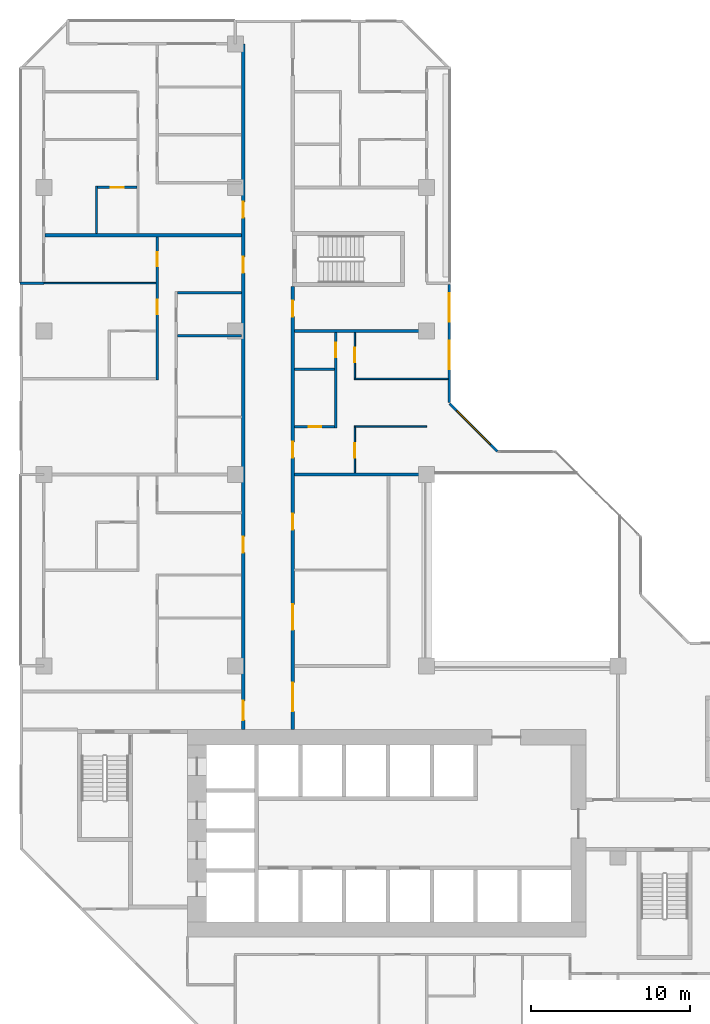
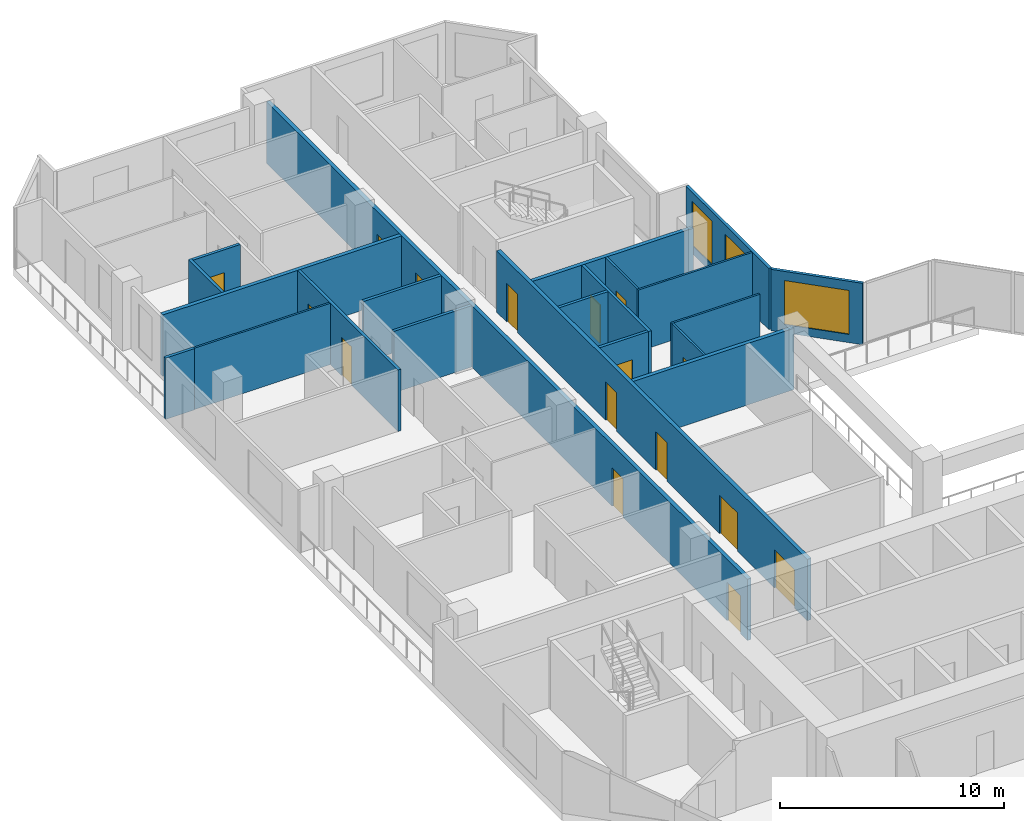
# One storey, part 9 of 15: 21 walls, 16 doors, 3 windows, 19 openings.
"""IFC4 building model written with IfcOpenShell, lengths in metres."""

from ifc_helpers import new_model, si_unit, direction, frame, frame_2d, origin, place, context, subcontext, project, spatial, rectangle, extrude, material, layer, layer_set, type_object, element, fill, save


model = new_model("IFC4")

# Units and contexts
model_context = context("Model", 3, precision=1e-05, world=origin(), true_north=direction((0.0, 1.0)))
body_context = subcontext(model_context, "Body", "Model", "MODEL_VIEW")
ifc_project = project(units=[si_unit("LENGTHUNIT", "METRE"), si_unit("AREAUNIT", "SQUARE_METRE"), si_unit("VOLUMEUNIT", "CUBIC_METRE"), si_unit("PLANEANGLEUNIT", "RADIAN"), si_unit("MASSUNIT", "GRAM", prefix="KILO")], contexts=[model_context])

# Site, building, storey
site_placement = place(None, origin())
site = spatial("IfcSite", under=ifc_project, at=site_placement, CompositionType="ELEMENT")
building_placement = place(site_placement, origin())
building = spatial("IfcBuilding", under=site, at=building_placement, Name="Chenar Terraces", CompositionType="ELEMENT")
storey_placement = place(building_placement, frame((0.0, 0.0, 95.64990234375)))
storey = spatial("IfcBuildingStorey", under=building, at=storey_placement, Name="L21", CompositionType="ELEMENT", Elevation=95.64990234375)

# Wall, openings, doors
ifc_material_1 = material(Name="Gypsum board on steel studs with fire boards", Category="steel")
ifc_layer_1 = layer(ifc_material_1, 0.199951171875)
ifc_layer_set_1 = layer_set([ifc_layer_1], Name="Gypsum board on steel studs with fire boards")
wall_type_1 = type_object("IfcWallType", Name="Corridor wall 200", PredefinedType="PARTITIONING", material=ifc_layer_set_1)
wall_1_placement = place(storey_placement, frame((12.5, 20.0, 0.0), z_axis=(0.0, 0.0, 1.0), x_axis=(0.0, 1.0, 0.0)))
wall_1 = element("IfcWall", 1, at=wall_1_placement, inside=storey, type_object=wall_type_1, Name="Partition L21-037", PredefinedType="PARTITIONING", context=body_context, shape_type="SweptSolid", body=[
    extrude(rectangle(XDim=43.0, YDim=0.199951171875, at=frame_2d((21.5, 0.0))), origin(), (0.0, 0.0, 1.0), 3.35009765625),
])
opening_1_placement = place(wall_1_placement, frame((28.64990234375, 0.0, 0.0)))
opening_1 = element("IfcOpeningElement", 2, at=opening_1_placement, cuts=wall_1, Name="Opening DL21-40", PredefinedType="OPENING", context=body_context, shape_type="SweptSolid", body=[
    extrude(rectangle(XDim=1.0, YDim=2.10009765625, at=frame_2d((0.5, 1.050048828125))), frame((0.0, 0.10986328125, 0.0), z_axis=(0.0, -1.0, 0.0), x_axis=(1.0, 0.0, 0.0)), (0.0, 0.0, 1.0), 0.219970703125),
])
opening_2_placement = place(wall_1_placement, frame((32.10009765625, 0.0, 0.0)))
opening_2 = element("IfcOpeningElement", 3, at=opening_2_placement, cuts=wall_1, Name="Opening DL21-48", PredefinedType="OPENING", context=body_context, shape_type="SweptSolid", body=[
    extrude(rectangle(XDim=1.0, YDim=2.10009765625, at=frame_2d((0.5, 1.050048828125))), frame((0.0, 0.10986328125, 0.0), z_axis=(0.0, -1.0, 0.0), x_axis=(1.0, 0.0, 0.0)), (0.0, 0.0, 1.0), 0.219970703125),
])
opening_3_placement = place(wall_1_placement, frame((0.60009765625, 0.0, 0.0)))
opening_3 = element("IfcOpeningElement", 4, at=opening_3_placement, cuts=wall_1, Name="Opening DL21-51", PredefinedType="OPENING", context=body_context, shape_type="SweptSolid", body=[
    extrude(rectangle(XDim=1.199951171875, YDim=2.10009765625, at=frame_2d((0.60009765625, 1.050048828125))), frame((0.0, 0.10986328125, 0.0), z_axis=(0.0, -1.0, 0.0), x_axis=(1.0, 0.0, 0.0)), (0.0, 0.0, 1.0), 0.219970703125),
])
opening_4_placement = place(wall_1_placement, frame((11.10009765625, 0.0, 0.0)))
opening_4 = element("IfcOpeningElement", 5, at=opening_4_placement, cuts=wall_1, Name="Opening DL21-71", PredefinedType="OPENING", context=body_context, shape_type="SweptSolid", body=[
    extrude(rectangle(XDim=1.0, YDim=2.10009765625, at=frame_2d((0.5, 1.050048828125))), frame((0.0, 0.10986328125, 0.0), z_axis=(0.0, -1.0, 0.0), x_axis=(1.0, 0.0, 0.0)), (0.0, 0.0, 1.0), 0.219970703125),
])
ifc_material_2 = material(Name="Steel-framed fire-resisting door leaf", Category="steel")
door_type_1 = type_object("IfcDoorType", Name="Fire door FD30S 1000 x 2100", OperationType="SINGLE_SWING_LEFT", PredefinedType="DOOR", material=ifc_material_2)
door_1_placement = place(opening_1_placement, origin())
door_1 = element("IfcDoor", 6, at=door_1_placement, inside=storey, type_object=door_type_1, Name="Door DL21-40", OperationType="SINGLE_SWING_LEFT", OverallHeight=2.10009765625, OverallWidth=1.0, PredefinedType="DOOR", context=body_context, shape_type="SweptSolid", body=[
    extrude(rectangle(XDim=1.0, YDim=2.10009765625, at=frame_2d((0.5, 1.050048828125))), frame((0.0, 0.02490234375, 0.0), z_axis=(0.0, -1.0, 0.0), x_axis=(1.0, 0.0, 0.0)), (0.0, 0.0, 1.0), 0.050048828125),
])
fill(opening_1, door_1)
door_2_placement = place(opening_2_placement, origin())
door_2 = element("IfcDoor", 7, at=door_2_placement, inside=storey, type_object=door_type_1, Name="Door DL21-48", OperationType="SINGLE_SWING_RIGHT", OverallHeight=2.10009765625, OverallWidth=1.0, PredefinedType="DOOR", context=body_context, shape_type="SweptSolid", body=[
    extrude(rectangle(XDim=1.0, YDim=2.10009765625, at=frame_2d((0.5, 1.050048828125))), frame((0.0, 0.02490234375, 0.0), z_axis=(0.0, -1.0, 0.0), x_axis=(1.0, 0.0, 0.0)), (0.0, 0.0, 1.0), 0.050048828125),
])
fill(opening_2, door_2)
door_3_placement = place(opening_4_placement, origin())
door_3 = element("IfcDoor", 8, at=door_3_placement, inside=storey, type_object=door_type_1, Name="Door DL21-71", OperationType="SINGLE_SWING_LEFT", OverallHeight=2.10009765625, OverallWidth=1.0, PredefinedType="DOOR", context=body_context, shape_type="SweptSolid", body=[
    extrude(rectangle(XDim=1.0, YDim=2.10009765625, at=frame_2d((0.5, 1.050048828125))), frame((0.0, 0.02490234375, 0.0), z_axis=(0.0, -1.0, 0.0), x_axis=(1.0, 0.0, 0.0)), (0.0, 0.0, 1.0), 0.050048828125),
])
fill(opening_4, door_3)
ifc_material_3 = material(Name="Steel-framed fire-resisting door leaf", Category="steel")
door_type_2 = type_object("IfcDoorType", Name="Fire door FD30S 1200 x 2100", OperationType="SINGLE_SWING_LEFT", PredefinedType="DOOR", material=ifc_material_3)
door_4_placement = place(opening_3_placement, origin())
door_4 = element("IfcDoor", 9, at=door_4_placement, inside=storey, type_object=door_type_2, Name="Door DL21-51", OperationType="SINGLE_SWING_RIGHT", OverallHeight=2.10009765625, OverallWidth=1.199951171875, PredefinedType="DOOR", context=body_context, shape_type="SweptSolid", body=[
    extrude(rectangle(XDim=1.199951171875, YDim=2.10009765625, at=frame_2d((0.60009765625, 1.050048828125))), frame((0.0, 0.02490234375, 0.0), z_axis=(0.0, -1.0, 0.0), x_axis=(1.0, 0.0, 0.0)), (0.0, 0.0, 1.0), 0.050048828125),
])
fill(opening_3, door_4)

wall_2_placement = place(storey_placement, frame((15.60009765625, 20.0, 0.0), z_axis=(0.0, 0.0, 1.0), x_axis=(0.0, 1.0, 0.0)))
wall_2 = element("IfcWall", 10, at=wall_2_placement, inside=storey, type_object=wall_type_1, Name="Partition L21-038", PredefinedType="PARTITIONING", context=body_context, shape_type="SweptSolid", body=[
    extrude(rectangle(XDim=27.77490234375, YDim=0.199951171875, at=frame_2d((13.887451171875, 0.0))), origin(), (0.0, 0.0, 1.0), 3.35009765625),
])
opening_5_placement = place(wall_2_placement, frame((6.25, 0.0, 0.0)))
opening_5 = element("IfcOpeningElement", 11, at=opening_5_placement, cuts=wall_2, Name="Opening DL21-1", PredefinedType="OPENING", context=body_context, shape_type="SweptSolid", body=[
    extrude(rectangle(XDim=1.60009765625, YDim=2.10009765625, at=frame_2d((0.800048828125, 1.050048828125))), frame((0.0, 0.10986328125, 0.0), z_axis=(0.0, -1.0, 0.0), x_axis=(1.0, 0.0, 0.0)), (0.0, 0.0, 1.0), 0.219970703125),
])
opening_6_placement = place(wall_2_placement, frame((12.550048828125, 0.0, 0.0)))
opening_6 = element("IfcOpeningElement", 12, at=opening_6_placement, cuts=wall_2, Name="Opening DL21-2", PredefinedType="OPENING", context=body_context, shape_type="SweptSolid", body=[
    extrude(rectangle(XDim=1.0, YDim=2.10009765625, at=frame_2d((0.5, 1.050048828125))), frame((0.0, 0.10986328125, 0.0), z_axis=(0.0, -1.0, 0.0), x_axis=(1.0, 0.0, 0.0)), (0.0, 0.0, 1.0), 0.219970703125),
])
opening_7_placement = place(wall_2_placement, frame((17.050048828125, 0.0, 0.0)))
opening_7 = element("IfcOpeningElement", 13, at=opening_7_placement, cuts=wall_2, Name="Opening DL21-29", PredefinedType="OPENING", context=body_context, shape_type="SweptSolid", body=[
    extrude(rectangle(XDim=1.0, YDim=2.10009765625, at=frame_2d((0.5, 1.050048828125))), frame((0.0, 0.10986328125, 0.0), z_axis=(0.0, -1.0, 0.0), x_axis=(1.0, 0.0, 0.0)), (0.0, 0.0, 1.0), 0.219970703125),
])
opening_8_placement = place(wall_2_placement, frame((1.14990234375, 0.0, 0.0)))
opening_8 = element("IfcOpeningElement", 14, at=opening_8_placement, cuts=wall_2, Name="Opening DL21-50", PredefinedType="OPENING", context=body_context, shape_type="SweptSolid", body=[
    extrude(rectangle(XDim=1.800048828125, YDim=2.10009765625, at=frame_2d((0.89990234375, 1.050048828125))), frame((0.0, 0.10986328125, 0.0), z_axis=(0.0, -1.0, 0.0), x_axis=(1.0, 0.0, 0.0)), (0.0, 0.0, 1.0), 0.219970703125),
])
opening_9_placement = place(wall_2_placement, frame((25.89990234375, 0.0, 0.0)))
opening_9 = element("IfcOpeningElement", 15, at=opening_9_placement, cuts=wall_2, Name="Opening DL21-53", PredefinedType="OPENING", context=body_context, shape_type="SweptSolid", body=[
    extrude(rectangle(XDim=1.0, YDim=2.10009765625, at=frame_2d((0.5, 1.050048828125))), frame((0.0, 0.10986328125, 0.0), z_axis=(0.0, -1.0, 0.0), x_axis=(1.0, 0.0, 0.0)), (0.0, 0.0, 1.0), 0.219970703125),
])
ifc_material_4 = material(Name="Steel-framed fire-resisting door leaf", Category="steel")
door_type_3 = type_object("IfcDoorType", Name="Fire door FD60 1000 x 2100", OperationType="SINGLE_SWING_LEFT", PredefinedType="DOOR", material=ifc_material_4)
door_5_placement = place(opening_6_placement, frame((1.0, 0.0, 0.0), z_axis=(0.0, 0.0, 1.0), x_axis=(-1.0, 0.0, 0.0)))
door_5 = element("IfcDoor", 16, at=door_5_placement, inside=storey, type_object=door_type_3, Name="Door DL21-2", OperationType="SINGLE_SWING_LEFT", OverallHeight=2.10009765625, OverallWidth=1.0, PredefinedType="DOOR", context=body_context, shape_type="SweptSolid", body=[
    extrude(rectangle(XDim=1.0, YDim=2.10009765625, at=frame_2d((0.5, 1.050048828125))), frame((0.0, 0.02490234375, 0.0), z_axis=(0.0, -1.0, 0.0), x_axis=(1.0, 0.0, 0.0)), (0.0, 0.0, 1.0), 0.050048828125),
])
fill(opening_6, door_5)
door_6_placement = place(opening_7_placement, frame((1.0, 0.0, 0.0), z_axis=(0.0, 0.0, 1.0), x_axis=(-1.0, 0.0, 0.0)))
door_6 = element("IfcDoor", 17, at=door_6_placement, inside=storey, type_object=door_type_3, Name="Door DL21-29", OperationType="SINGLE_SWING_LEFT", OverallHeight=2.10009765625, OverallWidth=1.0, PredefinedType="DOOR", context=body_context, shape_type="SweptSolid", body=[
    extrude(rectangle(XDim=1.0, YDim=2.10009765625, at=frame_2d((0.5, 1.050048828125))), frame((0.0, 0.02490234375, 0.0), z_axis=(0.0, -1.0, 0.0), x_axis=(1.0, 0.0, 0.0)), (0.0, 0.0, 1.0), 0.050048828125),
])
fill(opening_7, door_6)
door_7_placement = place(opening_9_placement, frame((1.0, 0.0, 0.0), z_axis=(0.0, 0.0, 1.0), x_axis=(-1.0, 0.0, 0.0)))
door_7 = element("IfcDoor", 18, at=door_7_placement, inside=storey, type_object=door_type_3, Name="Door DL21-53", OperationType="SINGLE_SWING_RIGHT", OverallHeight=2.10009765625, OverallWidth=1.0, PredefinedType="DOOR", context=body_context, shape_type="SweptSolid", body=[
    extrude(rectangle(XDim=1.0, YDim=2.10009765625, at=frame_2d((0.5, 1.050048828125))), frame((0.0, 0.02490234375, 0.0), z_axis=(0.0, -1.0, 0.0), x_axis=(1.0, 0.0, 0.0)), (0.0, 0.0, 1.0), 0.050048828125),
])
fill(opening_9, door_7)
ifc_material_5 = material(Name="Steel-framed fire-resisting door leaf", Category="steel")
door_type_4 = type_object("IfcDoorType", Name="Fire double door FD60 1600 x 2100", OperationType="DOUBLE_DOOR_SINGLE_SWING", PredefinedType="DOOR", material=ifc_material_5)
door_8_placement = place(opening_5_placement, frame((1.60009765625, 0.0, 0.0), z_axis=(0.0, 0.0, 1.0), x_axis=(-1.0, 0.0, 0.0)))
door_8 = element("IfcDoor", 19, at=door_8_placement, inside=storey, type_object=door_type_4, Name="Door DL21-1", OperationType="DOUBLE_DOOR_SINGLE_SWING", OverallHeight=2.10009765625, OverallWidth=1.60009765625, PredefinedType="DOOR", context=body_context, shape_type="SweptSolid", body=[
    extrude(rectangle(XDim=1.60009765625, YDim=2.10009765625, at=frame_2d((0.800048828125, 1.050048828125))), frame((0.0, 0.02490234375, 0.0), z_axis=(0.0, -1.0, 0.0), x_axis=(1.0, 0.0, 0.0)), (0.0, 0.0, 1.0), 0.050048828125),
])
fill(opening_5, door_8)
ifc_material_6 = material(Name="Steel-framed fire-resisting door leaf", Category="steel")
door_type_5 = type_object("IfcDoorType", Name="Fire double door FD60 1800 x 2100", OperationType="DOUBLE_DOOR_SINGLE_SWING", PredefinedType="DOOR", material=ifc_material_6)
door_9_placement = place(opening_8_placement, frame((1.800048828125, 0.0, 0.0), z_axis=(0.0, 0.0, 1.0), x_axis=(-1.0, 0.0, 0.0)))
door_9 = element("IfcDoor", 20, at=door_9_placement, inside=storey, type_object=door_type_5, Name="Door DL21-50", OperationType="DOUBLE_DOOR_SINGLE_SWING", OverallHeight=2.10009765625, OverallWidth=1.800048828125, PredefinedType="DOOR", context=body_context, shape_type="SweptSolid", body=[
    extrude(rectangle(XDim=1.800048828125, YDim=2.10009765625, at=frame_2d((0.89990234375, 1.050048828125))), frame((0.0, 0.02490234375, 0.0), z_axis=(0.0, -1.0, 0.0), x_axis=(1.0, 0.0, 0.0)), (0.0, 0.0, 1.0), 0.050048828125),
])
fill(opening_8, door_9)

# Wall, openings, windows
ifc_material_7 = material(Name="Aluminium framed glazing", Category="aluminium")
ifc_layer_2 = layer(ifc_material_7, 0.14990234375)
ifc_layer_set_2 = layer_set([ifc_layer_2], Name="Aluminium framed glazing")
wall_type_2 = type_object("IfcWallType", Name="Glazed flush facade wall 150", PredefinedType="SOLIDWALL", material=ifc_layer_set_2)
wall_3_placement = place(storey_placement, frame((25.425048828125, 40.5, 0.0), z_axis=(0.0, 0.0, 1.0), x_axis=(0.0, 1.0, 0.0)))
wall_3 = element("IfcWall", 21, at=wall_3_placement, inside=storey, type_object=wall_type_2, Name="Glazed flush facade wall", PredefinedType="SOLIDWALL", context=body_context, shape_type="SweptSolid", body=[
    extrude(rectangle(XDim=7.425048828125, YDim=0.14990234375, at=frame_2d((3.71240234375, 0.0))), origin(), (0.0, 0.0, 1.0), 3.35009765625),
])
opening_10_placement = place(wall_3_placement, frame((2.10009765625, 0.0, 0.449951171875)))
opening_10 = element("IfcOpeningElement", 22, at=opening_10_placement, cuts=wall_3, Name="Opening W180x240", PredefinedType="OPENING", context=body_context, shape_type="SweptSolid", body=[
    extrude(rectangle(XDim=1.800048828125, YDim=2.39990234375, at=frame_2d((0.89990234375, 1.199951171875))), frame((0.0, 0.0849609375, 0.0), z_axis=(0.0, -1.0, 0.0), x_axis=(1.0, 0.0, 0.0)), (0.0, 0.0, 1.0), 0.169921875),
])
opening_11_placement = place(wall_3_placement, frame((5.0625, 0.0, 0.449951171875)))
opening_11 = element("IfcOpeningElement", 23, at=opening_11_placement, cuts=wall_3, Name="Opening W180x240", PredefinedType="OPENING", context=body_context, shape_type="SweptSolid", body=[
    extrude(rectangle(XDim=1.800048828125, YDim=2.39990234375, at=frame_2d((0.89990234375, 1.199951171875))), frame((0.0, 0.0849609375, 0.0), z_axis=(0.0, -1.0, 0.0), x_axis=(1.0, 0.0, 0.0)), (0.0, 0.0, 1.0), 0.169921875),
])
ifc_material_8 = material(Name="Low emissivity double glazing, aluminium frame", Category="aluminium")
window_type_1 = type_object("IfcWindowType", Name="Fixed light 1800 x 2400", PartitioningType="SINGLE_PANEL", PredefinedType="WINDOW", material=ifc_material_8)
window_1_placement = place(opening_10_placement, origin())
window_1 = element("IfcWindow", 24, at=window_1_placement, inside=storey, type_object=window_type_1, Name="Window", OverallHeight=2.39990234375, OverallWidth=1.800048828125, PartitioningType="SINGLE_PANEL", PredefinedType="WINDOW", context=body_context, shape_type="SweptSolid", body=[
    extrude(rectangle(XDim=1.800048828125, YDim=2.39990234375, at=frame_2d((0.89990234375, 1.199951171875))), frame((0.0, 0.030029296875, 0.0), z_axis=(0.0, -1.0, 0.0), x_axis=(1.0, 0.0, 0.0)), (0.0, 0.0, 1.0), 0.06005859375),
])
fill(opening_10, window_1)
window_2_placement = place(opening_11_placement, origin())
window_2 = element("IfcWindow", 25, at=window_2_placement, inside=storey, type_object=window_type_1, Name="Window", OverallHeight=2.39990234375, OverallWidth=1.800048828125, PartitioningType="SINGLE_PANEL", PredefinedType="WINDOW", context=body_context, shape_type="SweptSolid", body=[
    extrude(rectangle(XDim=1.800048828125, YDim=2.39990234375, at=frame_2d((0.89990234375, 1.199951171875))), frame((0.0, 0.030029296875, 0.0), z_axis=(0.0, -1.0, 0.0), x_axis=(1.0, 0.0, 0.0)), (0.0, 0.0, 1.0), 0.06005859375),
])
fill(opening_11, window_2)

# Walls
ifc_material_9 = material(Name="Gypsum board on steel studs", Category="steel")
ifc_layer_3 = layer(ifc_material_9, 0.10009765625)
ifc_layer_set_3 = layer_set([ifc_layer_3], Name="Gypsum board on steel studs")
wall_type_3 = type_object("IfcWallType", Name="Gypsum partition 100", PredefinedType="PARTITIONING", material=ifc_layer_set_3)
wall_4_placement = place(storey_placement, frame((0.0, 48.0, 0.0), z_axis=(0.0, 0.0, 1.0), x_axis=(1.0, 0.0, 0.0)))
element("IfcWall", 26, at=wall_4_placement, inside=storey, type_object=wall_type_3, Name="Partition L21-005", PredefinedType="PARTITIONING", context=body_context, shape_type="SweptSolid", body=[
    extrude(rectangle(XDim=7.02490234375, YDim=0.10009765625, at=frame_2d((3.512451171875, 0.0))), origin(), (0.0, 0.0, 1.0), 3.35009765625),
])
wall_5_placement = place(storey_placement, frame((19.449951171875, 39.0, 0.0), z_axis=(0.0, 0.0, 1.0), x_axis=(1.0, 0.0, 0.0)))
element("IfcWall", 27, at=wall_5_placement, inside=storey, type_object=wall_type_3, Name="Partition L21-051", PredefinedType="PARTITIONING", context=body_context, shape_type="SweptSolid", body=[
    extrude(rectangle(XDim=4.550048828125, YDim=0.10009765625, at=frame_2d((2.27490234375, 0.0))), origin(), (0.0, 0.0, 1.0), 3.35009765625),
])
wall_6_placement = place(storey_placement, frame((19.449951171875, 42.0, 0.0), z_axis=(0.0, 0.0, 1.0), x_axis=(1.0, 0.0, 0.0)))
element("IfcWall", 28, at=wall_6_placement, inside=storey, type_object=wall_type_3, Name="Partition L21-052", PredefinedType="PARTITIONING", context=body_context, shape_type="SweptSolid", body=[
    extrude(rectangle(XDim=5.900146484375, YDim=0.10009765625, at=frame_2d((2.9501953125, 0.0))), origin(), (0.0, 0.0, 1.0), 3.35009765625),
])

# Wall, opening, door
wall_7_placement = place(storey_placement, frame((19.5, 36.10009765625, 0.0), z_axis=(0.0, 0.0, 1.0), x_axis=(0.0, 1.0, 0.0)))
wall_7 = element("IfcWall", 29, at=wall_7_placement, inside=storey, type_object=wall_type_3, Name="Partition L21-053", PredefinedType="PARTITIONING", context=body_context, shape_type="SweptSolid", body=[
    extrude(rectangle(XDim=2.849853515625, YDim=0.10009765625, at=frame_2d((1.4248046875, 0.0))), origin(), (0.0, 0.0, 1.0), 3.35009765625),
])
opening_12_placement = place(wall_7_placement, frame((0.949951171875, 0.0, 0.0)))
opening_12 = element("IfcOpeningElement", 30, at=opening_12_placement, cuts=wall_7, Name="Opening DL21-26", PredefinedType="OPENING", context=body_context, shape_type="SweptSolid", body=[
    extrude(rectangle(XDim=0.89990234375, YDim=2.10009765625, at=frame_2d((0.449951171875, 1.050048828125))), frame((0.0, 0.06005859375, 0.0), z_axis=(0.0, -1.0, 0.0), x_axis=(1.0, 0.0, 0.0)), (0.0, 0.0, 1.0), 0.1201171875),
])
ifc_material_10 = material(Name="Veneered timber door leaf", Category="wood")
door_type_6 = type_object("IfcDoorType", Name="Door 900 x 2100", OperationType="SINGLE_SWING_LEFT", PredefinedType="DOOR", material=ifc_material_10)
door_10_placement = place(opening_12_placement, frame((0.89990234375, 0.0, 0.0), z_axis=(0.0, 0.0, 1.0), x_axis=(-1.0, 0.0, 0.0)))
door_10 = element("IfcDoor", 31, at=door_10_placement, inside=storey, type_object=door_type_6, Name="Door DL21-26", OperationType="SINGLE_SWING_LEFT", OverallHeight=2.10009765625, OverallWidth=0.89990234375, PredefinedType="DOOR", context=body_context, shape_type="SweptSolid", body=[
    extrude(rectangle(XDim=0.89990234375, YDim=2.10009765625, at=frame_2d((0.449951171875, 1.050048828125))), frame((0.0, 0.02490234375, 0.0), z_axis=(0.0, -1.0, 0.0), x_axis=(1.0, 0.0, 0.0)), (0.0, 0.0, 1.0), 0.050048828125),
])
fill(opening_12, door_10)

wall_8_placement = place(storey_placement, frame((19.5, 42.050048828125, 0.0), z_axis=(0.0, 0.0, 1.0), x_axis=(0.0, 1.0, 0.0)))
wall_8 = element("IfcWall", 32, at=wall_8_placement, inside=storey, type_object=wall_type_3, Name="Partition L21-054", PredefinedType="PARTITIONING", context=body_context, shape_type="SweptSolid", body=[
    extrude(rectangle(XDim=2.849853515625, YDim=0.10009765625, at=frame_2d((1.4248046875, 0.0))), origin(), (0.0, 0.0, 1.0), 3.35009765625),
])
opening_13_placement = place(wall_8_placement, frame((1.0, 0.0, 0.0)))
opening_13 = element("IfcOpeningElement", 33, at=opening_13_placement, cuts=wall_8, Name="Opening DL21-27", PredefinedType="OPENING", context=body_context, shape_type="SweptSolid", body=[
    extrude(rectangle(XDim=0.89990234375, YDim=2.10009765625, at=frame_2d((0.449951171875, 1.050048828125))), frame((0.0, 0.06005859375, 0.0), z_axis=(0.0, -1.0, 0.0), x_axis=(1.0, 0.0, 0.0)), (0.0, 0.0, 1.0), 0.1201171875),
])
door_11_placement = place(opening_13_placement, frame((0.89990234375, 0.0, 0.0), z_axis=(0.0, 0.0, 1.0), x_axis=(-1.0, 0.0, 0.0)))
door_11 = element("IfcDoor", 34, at=door_11_placement, inside=storey, type_object=door_type_6, Name="Door DL21-27", OperationType="SINGLE_SWING_LEFT", OverallHeight=2.10009765625, OverallWidth=0.89990234375, PredefinedType="DOOR", context=body_context, shape_type="SweptSolid", body=[
    extrude(rectangle(XDim=0.89990234375, YDim=2.10009765625, at=frame_2d((0.449951171875, 1.050048828125))), frame((0.0, 0.02490234375, 0.0), z_axis=(0.0, -1.0, 0.0), x_axis=(1.0, 0.0, 0.0)), (0.0, 0.0, 1.0), 0.050048828125),
])
fill(opening_13, door_11)

# Wall
ifc_material_11 = material(Name="Terracotta cladding on insulated backing", Category="masonry")
ifc_layer_4 = layer(ifc_material_11, 0.14990234375)
ifc_layer_set_4 = layer_set([ifc_layer_4], Name="Terracotta cladding on insulated backing")
wall_type_4 = type_object("IfcWallType", Name="Loggia return wall 150", PredefinedType="SOLIDWALL", material=ifc_layer_set_4)
wall_9_placement = place(storey_placement, frame((-1.5, 48.0, 0.0), z_axis=(0.0, 0.0, 1.0), x_axis=(1.0, 0.0, 0.0)))
element("IfcWall", 35, at=wall_9_placement, inside=storey, type_object=wall_type_4, Name="Loggia return wall", PredefinedType="SOLIDWALL", context=body_context, shape_type="SweptSolid", body=[
    extrude(rectangle(XDim=1.5, YDim=0.14990234375, at=frame_2d((0.75, 0.0))), origin(), (0.0, 0.0, 1.0), 3.35009765625),
])

# Wall, opening, window
ifc_material_12 = material(Name="Terracotta cladding on insulated backing", Category="masonry")
ifc_layer_5 = layer(ifc_material_12, 0.14990234375)
ifc_layer_set_5 = layer_set([ifc_layer_5], Name="Terracotta cladding on insulated backing")
wall_type_5 = type_object("IfcWallType", Name="Terracotta rainscreen wall 150", PredefinedType="SOLIDWALL", material=ifc_layer_set_5)
wall_10_placement = place(storey_placement, frame((28.447021484375, 37.447021484375, 0.0), z_axis=(0.0, 0.0, 1.0), x_axis=(-0.707106781187, 0.707106781187, 0.0)))
wall_10 = element("IfcWall", 36, at=wall_10_placement, inside=storey, type_object=wall_type_5, Name="Terracotta rainscreen wall", PredefinedType="SOLIDWALL", context=body_context, shape_type="SweptSolid", body=[
    extrude(rectangle(XDim=4.24267578125, YDim=0.14990234375, at=frame_2d((2.121337890625, 0.0))), origin(), (0.0, 0.0, 1.0), 3.35009765625),
])
opening_14_placement = place(wall_10_placement, frame((0.621337890625, 0.0, 0.449951171875)))
opening_14 = element("IfcOpeningElement", 37, at=opening_14_placement, cuts=wall_10, Name="Opening W300x240", PredefinedType="OPENING", context=body_context, shape_type="SweptSolid", body=[
    extrude(rectangle(XDim=3.0, YDim=2.39990234375, at=frame_2d((1.5, 1.199951171875))), frame((0.0, 0.0849609375, 0.0), z_axis=(0.0, -1.0, 0.0), x_axis=(1.0, 0.0, 0.0)), (0.0, 0.0, 1.0), 0.169921875),
])
ifc_material_13 = material(Name="Low emissivity double glazing, aluminium frame", Category="aluminium")
window_type_2 = type_object("IfcWindowType", Name="Fixed light 3000 x 2400", PartitioningType="SINGLE_PANEL", PredefinedType="WINDOW", material=ifc_material_13)
window_3_placement = place(opening_14_placement, origin())
window_3 = element("IfcWindow", 38, at=window_3_placement, inside=storey, type_object=window_type_2, Name="Window", OverallHeight=2.39990234375, OverallWidth=3.0, PartitioningType="SINGLE_PANEL", PredefinedType="WINDOW", context=body_context, shape_type="SweptSolid", body=[
    extrude(rectangle(XDim=3.0, YDim=2.39990234375, at=frame_2d((1.5, 1.199951171875))), frame((0.0, 0.030029296875, 0.0), z_axis=(0.0, -1.0, 0.0), x_axis=(1.0, 0.0, 0.0)), (0.0, 0.0, 1.0), 0.06005859375),
])
fill(opening_14, window_3)

# Walls
ifc_material_14 = material(Name="Twin gypsum board on steel studs with mineral wool", Category="steel")
ifc_layer_6 = layer(ifc_material_14, 0.199951171875)
ifc_layer_set_6 = layer_set([ifc_layer_6], Name="Twin gypsum board on steel studs with mineral wool")
wall_type_6 = type_object("IfcWallType", Name="Unit demising wall 200", PredefinedType="PARTITIONING", material=ifc_layer_set_6)
wall_11_placement = place(storey_placement, frame((0.073974609375, 51.0, 0.0), z_axis=(0.0, 0.0, 1.0), x_axis=(1.0, 0.0, 0.0)))
element("IfcWall", 39, at=wall_11_placement, inside=storey, type_object=wall_type_6, Name="Partition L21-007", PredefinedType="PARTITIONING", context=body_context, shape_type="SweptSolid", body=[
    extrude(rectangle(XDim=12.325927734375, YDim=0.199951171875, at=frame_2d((6.1630859375, 0.0))), origin(), (0.0, 0.0, 1.0), 3.35009765625),
])
for number, where, z_axis, x_axis, name in (
    (40, (15.699951171875, 36.0, 0.0), (0.0, 0.0, 1.0), (1.0, 0.0, 0.0), "Partition L21-042"),
    (41, (15.699951171875, 45.0, 0.0), (0.0, 0.0, 1.0), (1.0, 0.0, 0.0), "Partition L21-045"),
):
    element("IfcWall", number, at=place(storey_placement, frame(where, z_axis=z_axis, x_axis=x_axis)), inside=storey, type_object=wall_type_6, Name=name, PredefinedType="PARTITIONING", context=body_context, shape_type="SweptSolid", body=[
        extrude(rectangle(XDim=8.300048828125, YDim=0.199951171875, at=frame_2d((4.14990234375, 0.0))), origin(), (0.0, 0.0, 1.0), 3.35009765625),
    ])
ifc_material_15 = material(Name="Moisture-resistant gypsum board on steel studs", Category="steel")
ifc_layer_7 = layer(ifc_material_15, 0.14990234375)
ifc_layer_set_7 = layer_set([ifc_layer_7], Name="Moisture-resistant gypsum board on steel studs")
wall_type_7 = type_object("IfcWallType", Name="Wet-room partition 150", PredefinedType="PARTITIONING", material=ifc_layer_set_7)
wall_12_placement = place(storey_placement, frame((3.300048828125, 51.10009765625, 0.0), z_axis=(0.0, 0.0, 1.0), x_axis=(0.0, 1.0, 0.0)))
element("IfcWall", 42, at=wall_12_placement, inside=storey, type_object=wall_type_7, Name="Partition L21-012", PredefinedType="PARTITIONING", context=body_context, shape_type="SweptSolid", body=[
    extrude(rectangle(XDim=2.974853515625, YDim=0.14990234375, at=frame_2d((1.4873046875, 0.0))), origin(), (0.0, 0.0, 1.0), 3.35009765625),
])

# Wall, opening, door
wall_13_placement = place(storey_placement, frame((3.375, 54.0, 0.0), z_axis=(0.0, 0.0, 1.0), x_axis=(1.0, 0.0, 0.0)))
wall_13 = element("IfcWall", 43, at=wall_13_placement, inside=storey, type_object=wall_type_7, Name="Partition L21-014", PredefinedType="PARTITIONING", context=body_context, shape_type="SweptSolid", body=[
    extrude(rectangle(XDim=2.449951171875, YDim=0.14990234375, at=frame_2d((1.22509765625, 0.0))), origin(), (0.0, 0.0, 1.0), 3.35009765625),
])
opening_15_placement = place(wall_13_placement, frame((0.824951171875, 0.0, 0.0)))
opening_15 = element("IfcOpeningElement", 44, at=opening_15_placement, cuts=wall_13, Name="Opening DL21-45", PredefinedType="OPENING", context=body_context, shape_type="SweptSolid", body=[
    extrude(rectangle(XDim=0.800048828125, YDim=2.10009765625, at=frame_2d((0.39990234375, 1.050048828125))), frame((0.0, 0.0849609375, 0.0), z_axis=(0.0, -1.0, 0.0), x_axis=(1.0, 0.0, 0.0)), (0.0, 0.0, 1.0), 0.169921875),
])
ifc_material_16 = material(Name="Veneered timber door leaf", Category="wood")
door_type_7 = type_object("IfcDoorType", Name="Door 800 x 2100", OperationType="SINGLE_SWING_LEFT", PredefinedType="DOOR", material=ifc_material_16)
door_12_placement = place(opening_15_placement, frame((0.800048828125, 0.0, 0.0), z_axis=(0.0, 0.0, 1.0), x_axis=(-1.0, 0.0, 0.0)))
door_12 = element("IfcDoor", 45, at=door_12_placement, inside=storey, type_object=door_type_7, Name="Door DL21-45", OperationType="SINGLE_SWING_LEFT", OverallHeight=2.10009765625, OverallWidth=0.800048828125, PredefinedType="DOOR", context=body_context, shape_type="SweptSolid", body=[
    extrude(rectangle(XDim=0.800048828125, YDim=2.10009765625, at=frame_2d((0.39990234375, 1.050048828125))), frame((0.0, 0.02490234375, 0.0), z_axis=(0.0, -1.0, 0.0), x_axis=(1.0, 0.0, 0.0)), (0.0, 0.0, 1.0), 0.050048828125),
])
fill(opening_15, door_12)

# Wall, openings, doors
wall_14_placement = place(storey_placement, frame((7.10009765625, 41.925048828125, 0.0), z_axis=(0.0, 0.0, 1.0), x_axis=(0.0, 1.0, 0.0)))
wall_14 = element("IfcWall", 46, at=wall_14_placement, inside=storey, type_object=wall_type_7, Name="Partition L21-022", PredefinedType="PARTITIONING", context=body_context, shape_type="SweptSolid", body=[
    extrude(rectangle(XDim=8.974853515625, YDim=0.14990234375, at=frame_2d((4.4873046875, 0.0))), origin(), (0.0, 0.0, 1.0), 3.35009765625),
])
opening_16_placement = place(wall_14_placement, frame((7.125, 0.0, 0.0)))
opening_16 = element("IfcOpeningElement", 47, at=opening_16_placement, cuts=wall_14, Name="Opening DL21-36", PredefinedType="OPENING", context=body_context, shape_type="SweptSolid", body=[
    extrude(rectangle(XDim=0.89990234375, YDim=2.10009765625, at=frame_2d((0.449951171875, 1.050048828125))), frame((0.0, 0.0849609375, 0.0), z_axis=(0.0, -1.0, 0.0), x_axis=(1.0, 0.0, 0.0)), (0.0, 0.0, 1.0), 0.169921875),
])
opening_17_placement = place(wall_14_placement, frame((4.125, 0.0, 0.0)))
opening_17 = element("IfcOpeningElement", 48, at=opening_17_placement, cuts=wall_14, Name="Opening DL21-37", PredefinedType="OPENING", context=body_context, shape_type="SweptSolid", body=[
    extrude(rectangle(XDim=0.89990234375, YDim=2.10009765625, at=frame_2d((0.449951171875, 1.050048828125))), frame((0.0, 0.0849609375, 0.0), z_axis=(0.0, -1.0, 0.0), x_axis=(1.0, 0.0, 0.0)), (0.0, 0.0, 1.0), 0.169921875),
])
door_13_placement = place(opening_16_placement, origin())
door_13 = element("IfcDoor", 49, at=door_13_placement, inside=storey, type_object=door_type_6, Name="Door DL21-36", OperationType="SINGLE_SWING_LEFT", OverallHeight=2.10009765625, OverallWidth=0.89990234375, PredefinedType="DOOR", context=body_context, shape_type="SweptSolid", body=[
    extrude(rectangle(XDim=0.89990234375, YDim=2.10009765625, at=frame_2d((0.449951171875, 1.050048828125))), frame((0.0, 0.02490234375, 0.0), z_axis=(0.0, -1.0, 0.0), x_axis=(1.0, 0.0, 0.0)), (0.0, 0.0, 1.0), 0.050048828125),
])
fill(opening_16, door_13)
door_14_placement = place(opening_17_placement, origin())
door_14 = element("IfcDoor", 50, at=door_14_placement, inside=storey, type_object=door_type_6, Name="Door DL21-37", OperationType="SINGLE_SWING_LEFT", OverallHeight=2.10009765625, OverallWidth=0.89990234375, PredefinedType="DOOR", context=body_context, shape_type="SweptSolid", body=[
    extrude(rectangle(XDim=0.89990234375, YDim=2.10009765625, at=frame_2d((0.449951171875, 1.050048828125))), frame((0.0, 0.02490234375, 0.0), z_axis=(0.0, -1.0, 0.0), x_axis=(1.0, 0.0, 0.0)), (0.0, 0.0, 1.0), 0.050048828125),
])
fill(opening_17, door_14)

# Walls
for number, where, z_axis, x_axis, name in (
    (51, (8.375, 44.699951171875, 0.0), (0.0, 0.0, 1.0), (1.0, 0.0, 0.0), "Partition L21-031"),
    (52, (8.375, 47.39990234375, 0.0), (0.0, 0.0, 1.0), (1.0, 0.0, 0.0), "Partition L21-032"),
):
    element("IfcWall", number, at=place(storey_placement, frame(where, z_axis=z_axis, x_axis=x_axis)), inside=storey, type_object=wall_type_7, Name=name, PredefinedType="PARTITIONING", context=body_context, shape_type="SweptSolid", body=[
        extrude(rectangle(XDim=4.02490234375, YDim=0.14990234375, at=frame_2d((2.012451171875, 0.0))), origin(), (0.0, 0.0, 1.0), 3.35009765625),
    ])

# Wall, opening, door
wall_15_placement = place(storey_placement, frame((15.699951171875, 39.0, 0.0), z_axis=(0.0, 0.0, 1.0), x_axis=(1.0, 0.0, 0.0)))
wall_15 = element("IfcWall", 53, at=wall_15_placement, inside=storey, type_object=wall_type_7, Name="Partition L21-043", PredefinedType="PARTITIONING", context=body_context, shape_type="SweptSolid", body=[
    extrude(rectangle(XDim=2.525146484375, YDim=0.14990234375, at=frame_2d((1.2626953125, 0.0))), origin(), (0.0, 0.0, 1.0), 3.35009765625),
])
opening_18_placement = place(wall_15_placement, frame((0.89990234375, 0.0, 0.0)))
opening_18 = element("IfcOpeningElement", 54, at=opening_18_placement, cuts=wall_15, Name="Opening DL21-25", PredefinedType="OPENING", context=body_context, shape_type="SweptSolid", body=[
    extrude(rectangle(XDim=0.800048828125, YDim=2.10009765625, at=frame_2d((0.39990234375, 1.050048828125))), frame((0.0, 0.0849609375, 0.0), z_axis=(0.0, -1.0, 0.0), x_axis=(1.0, 0.0, 0.0)), (0.0, 0.0, 1.0), 0.169921875),
])
door_15_placement = place(opening_18_placement, origin())
door_15 = element("IfcDoor", 55, at=door_15_placement, inside=storey, type_object=door_type_7, Name="Door DL21-25", OperationType="SINGLE_SWING_RIGHT", OverallHeight=2.10009765625, OverallWidth=0.800048828125, PredefinedType="DOOR", context=body_context, shape_type="SweptSolid", body=[
    extrude(rectangle(XDim=0.800048828125, YDim=2.10009765625, at=frame_2d((0.39990234375, 1.050048828125))), frame((0.0, 0.02490234375, 0.0), z_axis=(0.0, -1.0, 0.0), x_axis=(1.0, 0.0, 0.0)), (0.0, 0.0, 1.0), 0.050048828125),
])
fill(opening_18, door_15)

# Wall
wall_16_placement = place(storey_placement, frame((15.699951171875, 42.60009765625, 0.0), z_axis=(0.0, 0.0, 1.0), x_axis=(1.0, 0.0, 0.0)))
element("IfcWall", 56, at=wall_16_placement, inside=storey, type_object=wall_type_7, Name="Partition L21-044", PredefinedType="PARTITIONING", context=body_context, shape_type="SweptSolid", body=[
    extrude(rectangle(XDim=2.525146484375, YDim=0.14990234375, at=frame_2d((1.2626953125, 0.0))), origin(), (0.0, 0.0, 1.0), 3.35009765625),
])

# Wall, opening, door
wall_17_placement = place(storey_placement, frame((18.300048828125, 38.925048828125, 0.0), z_axis=(0.0, 0.0, 1.0), x_axis=(0.0, 1.0, 0.0)))
wall_17 = element("IfcWall", 57, at=wall_17_placement, inside=storey, type_object=wall_type_7, Name="Partition L21-049", PredefinedType="PARTITIONING", context=body_context, shape_type="SweptSolid", body=[
    extrude(rectangle(XDim=5.974853515625, YDim=0.14990234375, at=frame_2d((2.9873046875, 0.0))), origin(), (0.0, 0.0, 1.0), 3.35009765625),
])
opening_19_placement = place(wall_17_placement, frame((4.425048828125, 0.0, 0.0)))
opening_19 = element("IfcOpeningElement", 58, at=opening_19_placement, cuts=wall_17, Name="Opening DL21-28", PredefinedType="OPENING", context=body_context, shape_type="SweptSolid", body=[
    extrude(rectangle(XDim=0.89990234375, YDim=2.10009765625, at=frame_2d((0.449951171875, 1.050048828125))), frame((0.0, 0.0849609375, 0.0), z_axis=(0.0, -1.0, 0.0), x_axis=(1.0, 0.0, 0.0)), (0.0, 0.0, 1.0), 0.169921875),
])
door_16_placement = place(opening_19_placement, origin())
door_16 = element("IfcDoor", 59, at=door_16_placement, inside=storey, type_object=door_type_6, Name="Door DL21-28", OperationType="SINGLE_SWING_RIGHT", OverallHeight=2.10009765625, OverallWidth=0.89990234375, PredefinedType="DOOR", context=body_context, shape_type="SweptSolid", body=[
    extrude(rectangle(XDim=0.89990234375, YDim=2.10009765625, at=frame_2d((0.449951171875, 1.050048828125))), frame((0.0, 0.02490234375, 0.0), z_axis=(0.0, -1.0, 0.0), x_axis=(1.0, 0.0, 0.0)), (0.0, 0.0, 1.0), 0.050048828125),
])
fill(opening_19, door_16)

save(model, "model.ifc")
